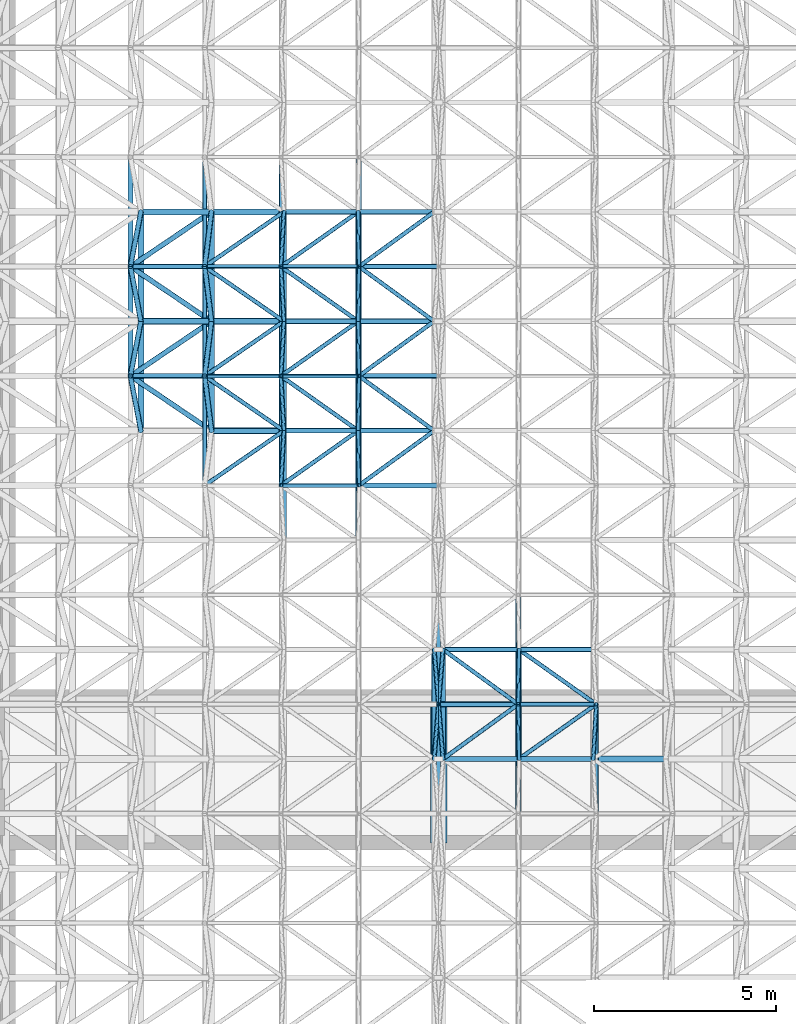
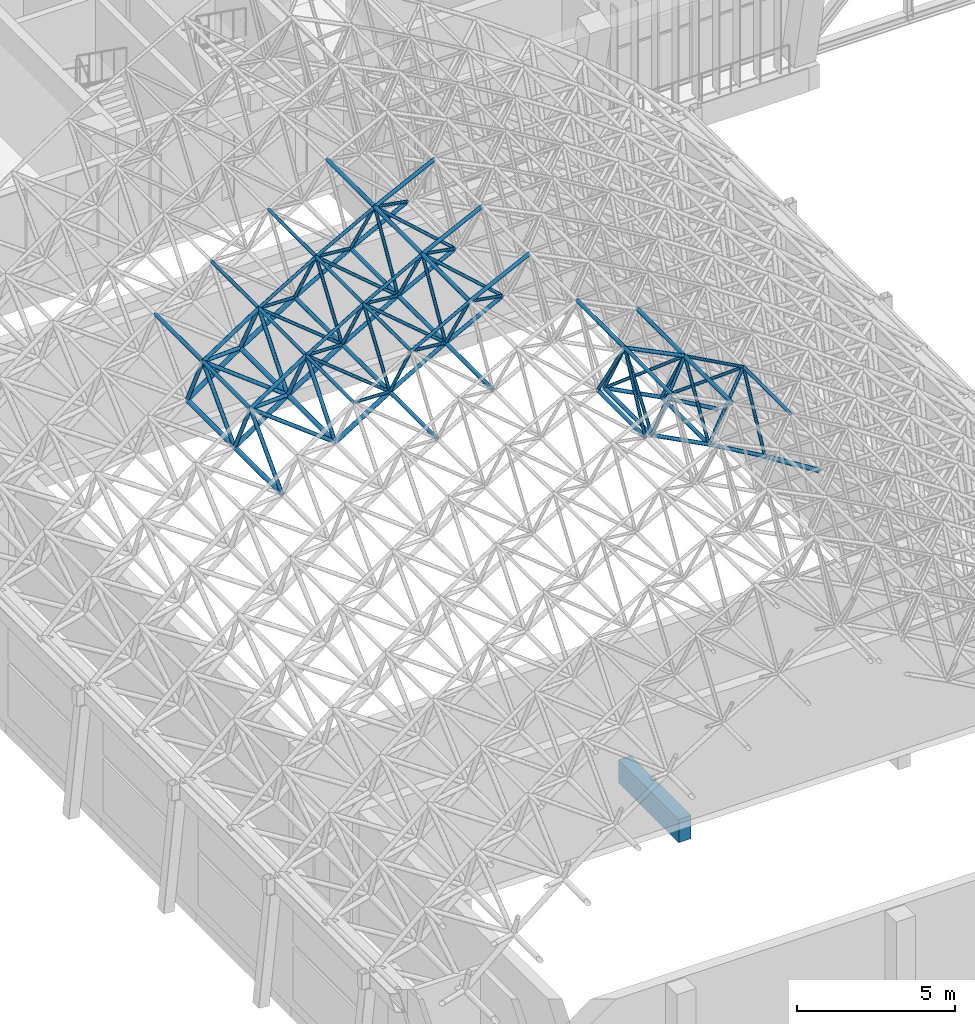
# One storey, part 19 of 141: 105 members, 1 beam.
"""IFC4 building model written with IfcOpenShell, lengths in metres."""

from ifc_helpers import new_model, si_unit, direction, frame, origin, origin_2d, place, context, subcontext, project, spatial, rectangle, hollow_circle, extrude, material, material_profile, profile_set, type_object, element, save


model = new_model("IFC4")

# Units and contexts
model_context = context("Model", 3, precision=1e-05, world=origin(), true_north=direction((0.0, 1.0)))
body_context = subcontext(model_context, "Body", "Model", "MODEL_VIEW")
ifc_project = project(units=[si_unit("LENGTHUNIT", "METRE"), si_unit("AREAUNIT", "SQUARE_METRE"), si_unit("VOLUMEUNIT", "CUBIC_METRE"), si_unit("PLANEANGLEUNIT", "RADIAN"), si_unit("MASSUNIT", "GRAM", prefix="KILO")], contexts=[model_context])

# Site, building, storey
site_placement = place(None, origin())
site = spatial("IfcSite", under=ifc_project, at=site_placement, CompositionType="ELEMENT")
building_placement = place(site_placement, origin())
building = spatial("IfcBuilding", under=site, at=building_placement, Name="Lantern Court Media Centre", CompositionType="ELEMENT")
storey_placement = place(building_placement, frame((0.0, 0.0, 9.60009765625)))
storey = spatial("IfcBuildingStorey", under=building, at=storey_placement, Name="L02", CompositionType="ELEMENT", Elevation=9.60009765625)

# Members
ifc_material_1 = material(Name="Steel S355J2 (EN 10025-2)", Category="steel")
ifc_material_profile_1 = material_profile(ifc_material_1, hollow_circle(Radius=0.06982421875, WallThickness=0.0048828125, at=origin_2d()), Name="Cinema Hall bottom CHS 139.7x5")
ifc_profile_set_1 = profile_set([ifc_material_profile_1], Name="Steel S355J2 (EN 10025-2)")
member_type_1 = type_object("IfcMemberType", Name="Cinema Hall bottom CHS 139.7x5", PredefinedType="CHORD", material=ifc_profile_set_1)
for number, where, z_axis, x_axis, name in (
    (1, (15.87939453125, 14.5, 13.298583984375), (0.0, 1.0, 0.0), (-1.0, 0.0, 0.0), "Cinema Hall bottom chord 08-06"),
    (2, (16.12060546875, 14.5, 13.298583984375), (0.0, 1.0, 0.0), (-1.0, 0.0, 0.0), "Cinema Hall bottom chord 09-06"),
):
    element("IfcMember", number, at=place(storey_placement, frame(where, z_axis=z_axis, x_axis=x_axis)), inside=storey, type_object=member_type_1, Name=name, PredefinedType="CHORD", context=body_context, shape_type="SweptSolid", body=[
        extrude(hollow_circle(Radius=0.06982421875, WallThickness=0.0048828125, at=origin_2d()), origin(), (0.0, 0.0, 1.0), 3.0),
    ])
ifc_material_profile_2 = material_profile(ifc_material_1, hollow_circle(Radius=0.06982421875, WallThickness=0.00634765625, at=origin_2d()), Name="Cinema Hall bottom CHS 139.7x6.3")
ifc_profile_set_2 = profile_set([ifc_material_profile_2], Name="Steel S355J2 (EN 10025-2)")
member_type_2 = type_object("IfcMemberType", Name="Cinema Hall bottom CHS 139.7x6.3", PredefinedType="CHORD", material=ifc_profile_set_2)
for number, where, z_axis, x_axis, name in (
    (3, (18.203125, 14.5, 12.21337890625), (0.0, 1.0, 0.0), (-1.0, 0.0, 0.0), "Cinema Hall bottom chord 10-06"),
    (4, (11.76025390625, 20.5, 11.04443359375), (0.0, 1.0, 0.0), (-1.0, 0.0, 0.0), "Cinema Hall bottom chord 06-08"),
    (5, (13.796875, 20.5, 12.21337890625), (0.0, 1.0, 0.0), (-1.0, 0.0, 0.0), "Cinema Hall bottom chord 07-08"),
    (6, (11.76025390625, 23.5, 11.04443359375), (0.0, 1.0, 0.0), (-1.0, 0.0, 0.0), "Cinema Hall bottom chord 06-09"),
    (7, (13.796875, 23.5, 12.21337890625), (0.0, 1.0, 0.0), (-1.0, 0.0, 0.0), "Cinema Hall bottom chord 07-09"),
    (8, (11.76025390625, 26.5, 11.04443359375), (0.0, 1.0, 0.0), (-1.0, 0.0, 0.0), "Cinema Hall bottom chord 06-10"),
    (9, (13.796875, 26.5, 12.21337890625), (0.0, 1.0, 0.0), (-1.0, 0.0, 0.0), "Cinema Hall bottom chord 07-10"),
):
    element("IfcMember", number, at=place(storey_placement, frame(where, z_axis=z_axis, x_axis=x_axis)), inside=storey, type_object=member_type_2, Name=name, PredefinedType="CHORD", context=body_context, shape_type="SweptSolid", body=[
        extrude(hollow_circle(Radius=0.06982421875, WallThickness=0.00634765625, at=origin_2d()), origin(), (0.0, 0.0, 1.0), 3.0),
    ])
member_1_placement = place(storey_placement, frame((16.12060546875, 14.5, 13.298583984375), z_axis=(0.88681645353, 0.0, -0.462121821329), x_axis=(0.0, 1.0, 0.0)))
element("IfcMember", 10, at=member_1_placement, inside=storey, type_object=member_type_2, Name="Cinema Hall bottom chord 09-06 across", PredefinedType="CHORD", context=body_context, shape_type="SweptSolid", body=[
    extrude(hollow_circle(Radius=0.06982421875, WallThickness=0.00634765625, at=origin_2d()), origin(), (0.0, 0.0, 1.0), 2.348388671875),
])
member_2_placement = place(storey_placement, frame((18.203125, 14.5, 12.21337890625), z_axis=(0.867294659253, 0.0, -0.497795112503), x_axis=(0.0, 1.0, 0.0)))
element("IfcMember", 11, at=member_2_placement, inside=storey, type_object=member_type_2, Name="Cinema Hall bottom chord 10-06 across", PredefinedType="CHORD", context=body_context, shape_type="SweptSolid", body=[
    extrude(hollow_circle(Radius=0.06982421875, WallThickness=0.00634765625, at=origin_2d()), origin(), (0.0, 0.0, 1.0), 2.34814453125),
])
member_3_placement = place(storey_placement, frame((16.12060546875, 17.5, 13.298583984375), z_axis=(0.88681645353, 0.0, -0.462121821329), x_axis=(0.0, 1.0, 0.0)))
element("IfcMember", 12, at=member_3_placement, inside=storey, type_object=member_type_2, Name="Cinema Hall bottom chord 09-07 across", PredefinedType="CHORD", context=body_context, shape_type="SweptSolid", body=[
    extrude(hollow_circle(Radius=0.06982421875, WallThickness=0.00634765625, at=origin_2d()), origin(), (0.0, 0.0, 1.0), 2.348388671875),
])
for number, where, z_axis, x_axis, name in (
    (13, (18.203125, 17.5, 12.21337890625), (0.867294659253, 0.0, -0.497795112503), (0.0, 1.0, 0.0), "Cinema Hall bottom chord 10-07 across"),
    (14, (11.76025390625, 23.5, 11.04443359375), (0.867294659253, 0.0, 0.497795112503), (0.0, 1.0, 0.0), "Cinema Hall bottom chord 06-09 across"),
):
    element("IfcMember", number, at=place(storey_placement, frame(where, z_axis=z_axis, x_axis=x_axis)), inside=storey, type_object=member_type_2, Name=name, PredefinedType="CHORD", context=body_context, shape_type="SweptSolid", body=[
        extrude(hollow_circle(Radius=0.06982421875, WallThickness=0.00634765625, at=origin_2d()), origin(), (0.0, 0.0, 1.0), 2.34814453125),
    ])
member_4_placement = place(storey_placement, frame((13.796875, 23.5, 12.21337890625), z_axis=(0.88681645353, 0.0, 0.462121821329), x_axis=(0.0, 1.0, 0.0)))
element("IfcMember", 15, at=member_4_placement, inside=storey, type_object=member_type_2, Name="Cinema Hall bottom chord 07-09 across", PredefinedType="CHORD", context=body_context, shape_type="SweptSolid", body=[
    extrude(hollow_circle(Radius=0.06982421875, WallThickness=0.00634765625, at=origin_2d()), origin(), (0.0, 0.0, 1.0), 2.348388671875),
])
member_5_placement = place(storey_placement, frame((11.76025390625, 26.5, 11.04443359375), z_axis=(0.867294659253, 0.0, 0.497795112503), x_axis=(0.0, 1.0, 0.0)))
element("IfcMember", 16, at=member_5_placement, inside=storey, type_object=member_type_2, Name="Cinema Hall bottom chord 06-10 across", PredefinedType="CHORD", context=body_context, shape_type="SweptSolid", body=[
    extrude(hollow_circle(Radius=0.06982421875, WallThickness=0.00634765625, at=origin_2d()), origin(), (0.0, 0.0, 1.0), 2.34814453125),
])
member_6_placement = place(storey_placement, frame((13.796875, 26.5, 12.21337890625), z_axis=(0.88681645353, 0.0, 0.462121821329), x_axis=(0.0, 1.0, 0.0)))
element("IfcMember", 17, at=member_6_placement, inside=storey, type_object=member_type_2, Name="Cinema Hall bottom chord 07-10 across", PredefinedType="CHORD", context=body_context, shape_type="SweptSolid", body=[
    extrude(hollow_circle(Radius=0.06982421875, WallThickness=0.00634765625, at=origin_2d()), origin(), (0.0, 0.0, 1.0), 2.348388671875),
])
member_7_placement = place(storey_placement, frame((11.76025390625, 29.5, 11.04443359375), z_axis=(0.867294659253, 0.0, 0.497795112503), x_axis=(0.0, 1.0, 0.0)))
element("IfcMember", 18, at=member_7_placement, inside=storey, type_object=member_type_2, Name="Cinema Hall bottom chord 06-11 across", PredefinedType="CHORD", context=body_context, shape_type="SweptSolid", body=[
    extrude(hollow_circle(Radius=0.06982421875, WallThickness=0.00634765625, at=origin_2d()), origin(), (0.0, 0.0, 1.0), 2.34814453125),
])
member_8_placement = place(storey_placement, frame((13.796875, 29.5, 12.21337890625), z_axis=(0.88681645353, 0.0, 0.462121821329), x_axis=(0.0, 1.0, 0.0)))
element("IfcMember", 19, at=member_8_placement, inside=storey, type_object=member_type_2, Name="Cinema Hall bottom chord 07-11 across", PredefinedType="CHORD", context=body_context, shape_type="SweptSolid", body=[
    extrude(hollow_circle(Radius=0.06982421875, WallThickness=0.00634765625, at=origin_2d()), origin(), (0.0, 0.0, 1.0), 2.348388671875),
])
ifc_material_profile_3 = material_profile(ifc_material_1, hollow_circle(Radius=0.084228515625, WallThickness=0.00634765625, at=origin_2d()), Name="Cinema Hall bottom CHS 168.3x6.3")
ifc_profile_set_3 = profile_set([ifc_material_profile_3], Name="Steel S355J2 (EN 10025-2)")
member_type_3 = type_object("IfcMemberType", Name="Cinema Hall bottom CHS 168.3x6.3", PredefinedType="CHORD", material=ifc_profile_set_3)
for number, where, z_axis, x_axis, name in (
    (20, (9.772705078125, 23.5, 9.7939453125), (0.0, 1.0, 0.0), (-1.0, 0.0, 0.0), "Cinema Hall bottom chord 05-09"),
    (21, (9.772705078125, 26.5, 9.7939453125), (0.0, 1.0, 0.0), (-1.0, 0.0, 0.0), "Cinema Hall bottom chord 05-10"),
):
    element("IfcMember", number, at=place(storey_placement, frame(where, z_axis=z_axis, x_axis=x_axis)), inside=storey, type_object=member_type_3, Name=name, PredefinedType="CHORD", context=body_context, shape_type="SweptSolid", body=[
        extrude(hollow_circle(Radius=0.084228515625, WallThickness=0.00634765625, at=origin_2d()), origin(), (0.0, 0.0, 1.0), 3.0),
    ])
for number, where, z_axis, x_axis, name in (
    (22, (20.23974609375, 14.5, 11.04443359375), (0.846411623189, 0.0, -0.532529214344), (0.0, 1.0, 0.0), "Cinema Hall bottom chord 11-06 across"),
    (23, (9.772705078125, 23.5, 9.7939453125), (0.846411623189, 0.0, 0.532529214344), (0.0, 1.0, 0.0), "Cinema Hall bottom chord 05-09 across"),
    (24, (9.772705078125, 26.5, 9.7939453125), (0.846411623189, 0.0, 0.532529214344), (0.0, 1.0, 0.0), "Cinema Hall bottom chord 05-10 across"),
    (25, (9.772705078125, 29.5, 9.7939453125), (0.846411623189, 0.0, 0.532529214344), (0.0, 1.0, 0.0), "Cinema Hall bottom chord 05-11 across"),
):
    element("IfcMember", number, at=place(storey_placement, frame(where, z_axis=z_axis, x_axis=x_axis)), inside=storey, type_object=member_type_3, Name=name, PredefinedType="CHORD", context=body_context, shape_type="SweptSolid", body=[
        extrude(hollow_circle(Radius=0.084228515625, WallThickness=0.00634765625, at=origin_2d()), origin(), (0.0, 0.0, 1.0), 2.34814453125),
    ])
ifc_material_profile_4 = material_profile(ifc_material_1, hollow_circle(Radius=0.084228515625, WallThickness=0.008056640625, at=origin_2d()), Name="Cinema Hall bottom CHS 168.3x8")
ifc_profile_set_4 = profile_set([ifc_material_profile_4], Name="Steel S355J2 (EN 10025-2)")
member_type_4 = type_object("IfcMemberType", Name="Cinema Hall bottom CHS 168.3x8", PredefinedType="CHORD", material=ifc_profile_set_4)
for number, where, z_axis, x_axis, name in (
    (26, (7.837646484375, 23.5, 8.463623046875), (0.0, 1.0, 0.0), (-1.0, 0.0, 0.0), "Cinema Hall bottom chord 04-09"),
    (27, (7.837646484375, 26.5, 8.463623046875), (0.0, 1.0, 0.0), (-1.0, 0.0, 0.0), "Cinema Hall bottom chord 04-10"),
):
    element("IfcMember", number, at=place(storey_placement, frame(where, z_axis=z_axis, x_axis=x_axis)), inside=storey, type_object=member_type_4, Name=name, PredefinedType="CHORD", context=body_context, shape_type="SweptSolid", body=[
        extrude(hollow_circle(Radius=0.084228515625, WallThickness=0.008056640625, at=origin_2d()), origin(), (0.0, 0.0, 1.0), 3.0),
    ])
for number, where, z_axis, x_axis, name in (
    (28, (7.837646484375, 26.5, 8.463623046875), (0.824047991233, 0.0, 0.56651999801), (0.0, 1.0, 0.0), "Cinema Hall bottom chord 04-10 across"),
    (29, (7.837646484375, 29.5, 8.463623046875), (0.824047991233, 0.0, 0.56651999801), (0.0, 1.0, 0.0), "Cinema Hall bottom chord 04-11 across"),
):
    element("IfcMember", number, at=place(storey_placement, frame(where, z_axis=z_axis, x_axis=x_axis)), inside=storey, type_object=member_type_4, Name=name, PredefinedType="CHORD", context=body_context, shape_type="SweptSolid", body=[
        extrude(hollow_circle(Radius=0.084228515625, WallThickness=0.008056640625, at=origin_2d()), origin(), (0.0, 0.0, 1.0), 2.34814453125),
    ])
ifc_material_profile_5 = material_profile(ifc_material_1, hollow_circle(Radius=0.05712890625, WallThickness=0.0048828125, at=origin_2d()), Name="Cinema Hall diagonal CHS 114.3x5")
ifc_profile_set_5 = profile_set([ifc_material_profile_5], Name="Steel S355J2 (EN 10025-2)")
member_type_5 = type_object("IfcMemberType", Name="Cinema Hall diagonal CHS 114.3x5", PredefinedType="BRACE", material=ifc_profile_set_5)
member_9_placement = place(storey_placement, frame((15.87939453125, 14.5, 13.298583984375), z_axis=(0.041317175069, 0.513871910171, 0.85687137365), x_axis=(-0.996783215266, 0.080145004613, 0.0)))
element("IfcMember", 30, at=member_9_placement, inside=storey, type_object=member_type_5, Name="Cinema Hall diagonal 08-06-3", PredefinedType="BRACE", context=body_context, shape_type="SweptSolid", body=[
    extrude(hollow_circle(Radius=0.05712890625, WallThickness=0.0048828125, at=origin_2d()), origin(), (0.0, 0.0, 1.0), 2.9189453125),
])
member_10_placement = place(storey_placement, frame((16.12060546875, 14.5, 13.298583984375), z_axis=(0.706879781117, 0.513851085564, 0.486084392789), x_axis=(-0.587989591395, 0.808868493892, 0.0)))
element("IfcMember", 31, at=member_10_placement, inside=storey, type_object=member_type_5, Name="Cinema Hall diagonal 09-06-3", PredefinedType="BRACE", context=body_context, shape_type="SweptSolid", body=[
    extrude(hollow_circle(Radius=0.05712890625, WallThickness=0.0048828125, at=origin_2d()), origin(), (0.0, 0.0, 1.0), 2.919189453125),
])
for number, where, z_axis, x_axis, name in (
    (32, (16.12060546875, 14.5, 13.298583984375), (-0.041317175069, 0.513871910171, 0.85687137365), (-0.996783215266, -0.080145004613, 0.0), "Cinema Hall diagonal 09-06-4"),
    (33, (15.87939453125, 17.5, 13.298583984375), (0.041317175069, -0.513871910171, 0.85687137365), (0.996783215266, 0.080145004613, 0.0), "Cinema Hall diagonal 08-07-2"),
    (34, (16.12060546875, 17.5, 13.298583984375), (-0.041317175069, -0.513871910171, 0.85687137365), (0.996783215266, -0.080145004613, 0.0), "Cinema Hall diagonal 09-07-1"),
):
    element("IfcMember", number, at=place(storey_placement, frame(where, z_axis=z_axis, x_axis=x_axis)), inside=storey, type_object=member_type_5, Name=name, PredefinedType="BRACE", context=body_context, shape_type="SweptSolid", body=[
        extrude(hollow_circle(Radius=0.05712890625, WallThickness=0.0048828125, at=origin_2d()), origin(), (0.0, 0.0, 1.0), 2.9189453125),
    ])
for number, where, z_axis, x_axis, name in (
    (35, (16.12060546875, 17.5, 13.298583984375), (0.706879781117, -0.513851085564, 0.486084392789), (0.587989591395, 0.808868493892, 0.0), "Cinema Hall diagonal 09-07-2"),
    (36, (15.87939453125, 23.5, 13.298583984375), (-0.706879781117, -0.513851085564, 0.486084392789), (0.587989591395, -0.808868493892, 0.0), "Cinema Hall diagonal 08-09-1"),
    (37, (15.87939453125, 23.5, 13.298583984375), (-0.706879781117, 0.513851085564, 0.486084392789), (-0.587989591395, -0.808868493892, 0.0), "Cinema Hall diagonal 08-09-4"),
    (38, (15.87939453125, 26.5, 13.298583984375), (-0.706879781117, -0.513851085564, 0.486084392789), (0.587989591395, -0.808868493892, 0.0), "Cinema Hall diagonal 08-10-1"),
    (39, (15.87939453125, 26.5, 13.298583984375), (-0.706879781117, 0.513851085564, 0.486084392789), (-0.587989591395, -0.808868493892, 0.0), "Cinema Hall diagonal 08-10-4"),
    (40, (15.87939453125, 29.5, 13.298583984375), (-0.706879781117, -0.513851085564, 0.486084392789), (0.587989591395, -0.808868493892, 0.0), "Cinema Hall diagonal 08-11-1"),
):
    element("IfcMember", number, at=place(storey_placement, frame(where, z_axis=z_axis, x_axis=x_axis)), inside=storey, type_object=member_type_5, Name=name, PredefinedType="BRACE", context=body_context, shape_type="SweptSolid", body=[
        extrude(hollow_circle(Radius=0.05712890625, WallThickness=0.0048828125, at=origin_2d()), origin(), (0.0, 0.0, 1.0), 2.919189453125),
    ])
ifc_material_profile_6 = material_profile(ifc_material_1, hollow_circle(Radius=0.05712890625, WallThickness=0.00634765625, at=origin_2d()), Name="Cinema Hall diagonal CHS 114.3x6.3")
ifc_profile_set_6 = profile_set([ifc_material_profile_6], Name="Steel S355J2 (EN 10025-2)")
member_type_6 = type_object("IfcMemberType", Name="Cinema Hall diagonal CHS 114.3x6.3", PredefinedType="BRACE", material=ifc_profile_set_6)
for number, where, z_axis, x_axis, name in (
    (41, (18.203125, 14.5, 12.21337890625), (0.726033609038, 0.513852147671, 0.456980490702), (-0.577701627838, 0.816248019411, 0.0), "Cinema Hall diagonal 10-06-3"),
    (42, (18.203125, 14.5, 12.21337890625), (-0.006523580306, 0.513857402591, 0.857850810283), (-0.99991942426, -0.012694289566, 0.0), "Cinema Hall diagonal 10-06-4"),
    (43, (20.23974609375, 14.5, 11.04443359375), (0.028351859734, 0.513846095007, 0.857413763999), (-0.998481283351, 0.055091984872, 0.0), "Cinema Hall diagonal 11-06-4"),
    (44, (18.203125, 17.5, 12.21337890625), (-0.006523580306, -0.513857402591, 0.857850810283), (0.99991942426, -0.012694289566, 0.0), "Cinema Hall diagonal 10-07-1"),
    (45, (18.203125, 17.5, 12.21337890625), (0.726033609038, -0.513852147671, 0.456980490702), (0.577701627838, 0.816248019411, 0.0), "Cinema Hall diagonal 10-07-2"),
    (46, (11.76025390625, 23.5, 11.04443359375), (-0.744001537395, -0.513842788417, 0.427115091218), (0.568286154794, -0.822830994962, 0.0), "Cinema Hall diagonal 06-09-1"),
    (47, (11.76025390625, 23.5, 11.04443359375), (-0.028351859734, -0.513846095007, 0.857413763999), (0.998481283351, -0.055091984872, 0.0), "Cinema Hall diagonal 06-09-2"),
    (48, (11.76025390625, 23.5, 11.04443359375), (-0.028351859734, 0.513846095007, 0.857413763999), (-0.998481283351, -0.055091984872, 0.0), "Cinema Hall diagonal 06-09-3"),
    (49, (11.76025390625, 23.5, 11.04443359375), (-0.744001537395, 0.513842788417, 0.427115091218), (-0.568286154794, -0.822830994962, 0.0), "Cinema Hall diagonal 06-09-4"),
    (50, (13.796875, 23.5, 12.21337890625), (-0.726033609038, -0.513852147671, 0.456980490702), (0.577701627838, -0.816248019411, 0.0), "Cinema Hall diagonal 07-09-1"),
    (51, (13.796875, 23.5, 12.21337890625), (0.006523580306, -0.513857402591, 0.857850810283), (0.99991942426, 0.012694289566, 0.0), "Cinema Hall diagonal 07-09-2"),
    (52, (13.796875, 23.5, 12.21337890625), (0.006523580306, 0.513857402591, 0.857850810283), (-0.99991942426, 0.012694289566, 0.0), "Cinema Hall diagonal 07-09-3"),
    (53, (13.796875, 23.5, 12.21337890625), (-0.726033609038, 0.513852147671, 0.456980490702), (-0.577701627838, -0.816248019411, 0.0), "Cinema Hall diagonal 07-09-4"),
    (54, (11.76025390625, 26.5, 11.04443359375), (-0.744001537395, -0.513842788417, 0.427115091218), (0.568286154794, -0.822830994962, 0.0), "Cinema Hall diagonal 06-10-1"),
    (55, (11.76025390625, 26.5, 11.04443359375), (-0.028351859734, -0.513846095007, 0.857413763999), (0.998481283351, -0.055091984872, 0.0), "Cinema Hall diagonal 06-10-2"),
    (56, (11.76025390625, 26.5, 11.04443359375), (-0.028351859734, 0.513846095007, 0.857413763999), (-0.998481283351, -0.055091984872, 0.0), "Cinema Hall diagonal 06-10-3"),
    (57, (11.76025390625, 26.5, 11.04443359375), (-0.744001537395, 0.513842788417, 0.427115091218), (-0.568286154794, -0.822830994962, 0.0), "Cinema Hall diagonal 06-10-4"),
    (58, (13.796875, 26.5, 12.21337890625), (-0.726033609038, -0.513852147671, 0.456980490702), (0.577701627838, -0.816248019411, 0.0), "Cinema Hall diagonal 07-10-1"),
    (59, (13.796875, 26.5, 12.21337890625), (0.006523580306, -0.513857402591, 0.857850810283), (0.99991942426, 0.012694289566, 0.0), "Cinema Hall diagonal 07-10-2"),
    (60, (13.796875, 26.5, 12.21337890625), (0.006523580306, 0.513857402591, 0.857850810283), (-0.99991942426, 0.012694289566, 0.0), "Cinema Hall diagonal 07-10-3"),
    (61, (13.796875, 26.5, 12.21337890625), (-0.726033609038, 0.513852147671, 0.456980490702), (-0.577701627838, -0.816248019411, 0.0), "Cinema Hall diagonal 07-10-4"),
    (62, (11.76025390625, 29.5, 11.04443359375), (-0.744001537395, -0.513842788417, 0.427115091218), (0.568286154794, -0.822830994962, 0.0), "Cinema Hall diagonal 06-11-1"),
    (63, (11.76025390625, 29.5, 11.04443359375), (-0.028351859734, -0.513846095007, 0.857413763999), (0.998481283351, -0.055091984872, 0.0), "Cinema Hall diagonal 06-11-2"),
    (64, (13.796875, 29.5, 12.21337890625), (-0.726033609038, -0.513852147671, 0.456980490702), (0.577701627838, -0.816248019411, 0.0), "Cinema Hall diagonal 07-11-1"),
    (65, (13.796875, 29.5, 12.21337890625), (0.006523580306, -0.513857402591, 0.857850810283), (0.99991942426, 0.012694289566, 0.0), "Cinema Hall diagonal 07-11-2"),
):
    element("IfcMember", number, at=place(storey_placement, frame(where, z_axis=z_axis, x_axis=x_axis)), inside=storey, type_object=member_type_6, Name=name, PredefinedType="BRACE", context=body_context, shape_type="SweptSolid", body=[
        extrude(hollow_circle(Radius=0.05712890625, WallThickness=0.00634765625, at=origin_2d()), origin(), (0.0, 0.0, 1.0), 2.919189453125),
    ])
ifc_material_profile_7 = material_profile(ifc_material_1, hollow_circle(Radius=0.06982421875, WallThickness=0.00634765625, at=origin_2d()), Name="Cinema Hall diagonal CHS 139.7x6.3")
ifc_profile_set_7 = profile_set([ifc_material_profile_7], Name="Steel S355J2 (EN 10025-2)")
member_type_7 = type_object("IfcMemberType", Name="Cinema Hall diagonal CHS 139.7x6.3", PredefinedType="BRACE", material=ifc_profile_set_7)
member_11_placement = place(storey_placement, frame((9.772705078125, 23.5, 9.7939453125), z_axis=(-0.063147046974, 0.513874776966, 0.855537938409), x_axis=(-0.992534194664, -0.121966685705, 0.0)))
element("IfcMember", 66, at=member_11_placement, inside=storey, type_object=member_type_7, Name="Cinema Hall diagonal 05-09-3", PredefinedType="BRACE", context=body_context, shape_type="SweptSolid", body=[
    extrude(hollow_circle(Radius=0.06982421875, WallThickness=0.00634765625, at=origin_2d()), origin(), (0.0, 0.0, 1.0), 2.9189453125),
])
for number, where, z_axis, x_axis, name in (
    (67, (9.772705078125, 23.5, 9.7939453125), (-0.760744068819, 0.513853513503, 0.396513591718), (-0.559735691147, -0.828671199003, 0.0), "Cinema Hall diagonal 05-09-4"),
    (68, (9.772705078125, 26.5, 9.7939453125), (-0.760744068819, -0.513853513503, 0.396513591718), (0.559735691147, -0.828671199003, 0.0), "Cinema Hall diagonal 05-10-1"),
):
    element("IfcMember", number, at=place(storey_placement, frame(where, z_axis=z_axis, x_axis=x_axis)), inside=storey, type_object=member_type_7, Name=name, PredefinedType="BRACE", context=body_context, shape_type="SweptSolid", body=[
        extrude(hollow_circle(Radius=0.06982421875, WallThickness=0.00634765625, at=origin_2d()), origin(), (0.0, 0.0, 1.0), 2.919189453125),
    ])
for number, where, z_axis, x_axis, name in (
    (69, (9.772705078125, 26.5, 9.7939453125), (-0.063147046974, -0.513874776966, 0.855537938409), (0.992534194664, -0.121966685705, 0.0), "Cinema Hall diagonal 05-10-2"),
    (70, (9.772705078125, 26.5, 9.7939453125), (-0.063147046974, 0.513874776966, 0.855537938409), (-0.992534194664, -0.121966685705, 0.0), "Cinema Hall diagonal 05-10-3"),
):
    element("IfcMember", number, at=place(storey_placement, frame(where, z_axis=z_axis, x_axis=x_axis)), inside=storey, type_object=member_type_7, Name=name, PredefinedType="BRACE", context=body_context, shape_type="SweptSolid", body=[
        extrude(hollow_circle(Radius=0.06982421875, WallThickness=0.00634765625, at=origin_2d()), origin(), (0.0, 0.0, 1.0), 2.9189453125),
    ])
for number, where, z_axis, x_axis, name in (
    (71, (9.772705078125, 26.5, 9.7939453125), (-0.760744068819, 0.513853513503, 0.396513591718), (-0.559735691147, -0.828671199003, 0.0), "Cinema Hall diagonal 05-10-4"),
    (72, (9.772705078125, 29.5, 9.7939453125), (-0.760744068819, -0.513853513503, 0.396513591718), (0.559735691147, -0.828671199003, 0.0), "Cinema Hall diagonal 05-11-1"),
):
    element("IfcMember", number, at=place(storey_placement, frame(where, z_axis=z_axis, x_axis=x_axis)), inside=storey, type_object=member_type_7, Name=name, PredefinedType="BRACE", context=body_context, shape_type="SweptSolid", body=[
        extrude(hollow_circle(Radius=0.06982421875, WallThickness=0.00634765625, at=origin_2d()), origin(), (0.0, 0.0, 1.0), 2.919189453125),
    ])
member_12_placement = place(storey_placement, frame((9.772705078125, 29.5, 9.7939453125), z_axis=(-0.063147046974, -0.513874776966, 0.855537938409), x_axis=(0.992534194664, -0.121966685705, 0.0)))
element("IfcMember", 73, at=member_12_placement, inside=storey, type_object=member_type_7, Name="Cinema Hall diagonal 05-11-2", PredefinedType="BRACE", context=body_context, shape_type="SweptSolid", body=[
    extrude(hollow_circle(Radius=0.06982421875, WallThickness=0.00634765625, at=origin_2d()), origin(), (0.0, 0.0, 1.0), 2.9189453125),
])
ifc_material_profile_8 = material_profile(ifc_material_1, hollow_circle(Radius=0.06982421875, WallThickness=0.008056640625, at=origin_2d()), Name="Cinema Hall diagonal CHS 139.7x8")
ifc_profile_set_8 = profile_set([ifc_material_profile_8], Name="Steel S355J2 (EN 10025-2)")
member_type_8 = type_object("IfcMemberType", Name="Cinema Hall diagonal CHS 139.7x8", PredefinedType="BRACE", material=ifc_profile_set_8)
for number, where, z_axis, x_axis, name in (
    (74, (7.837646484375, 23.5, 8.463623046875), (-0.09785614588, 0.51387022247, 0.852268484207), (-0.982346962135, -0.187068025016, 0.0), "Cinema Hall diagonal 04-09-3"),
    (75, (7.837646484375, 26.5, 8.463623046875), (-0.09785614588, -0.51387022247, 0.852268484207), (0.982346962135, -0.187068025016, 0.0), "Cinema Hall diagonal 04-10-2"),
    (76, (7.837646484375, 26.5, 8.463623046875), (-0.09785614588, 0.51387022247, 0.852268484207), (-0.982346962135, -0.187068025016, 0.0), "Cinema Hall diagonal 04-10-3"),
    (77, (7.837646484375, 29.5, 8.463623046875), (-0.09785614588, -0.51387022247, 0.852268484207), (0.982346962135, -0.187068025016, 0.0), "Cinema Hall diagonal 04-11-2"),
):
    element("IfcMember", number, at=place(storey_placement, frame(where, z_axis=z_axis, x_axis=x_axis)), inside=storey, type_object=member_type_8, Name=name, PredefinedType="BRACE", context=body_context, shape_type="SweptSolid", body=[
        extrude(hollow_circle(Radius=0.06982421875, WallThickness=0.008056640625, at=origin_2d()), origin(), (0.0, 0.0, 1.0), 2.9189453125),
    ])
ifc_material_profile_9 = material_profile(ifc_material_1, hollow_circle(Radius=0.05712890625, WallThickness=0.00634765625, at=origin_2d()), Name="Cinema Hall top CHS 114.3x6.3")
ifc_profile_set_9 = profile_set([ifc_material_profile_9], Name="Steel S355J2 (EN 10025-2)")
member_type_9 = type_object("IfcMemberType", Name="Cinema Hall top CHS 114.3x6.3", PredefinedType="CHORD", material=ifc_profile_set_9)
for number, where, z_axis, x_axis, name in (
    (78, (20.322509765625, 13.0, 13.54736328125), (0.0, 1.0, 0.0), (-1.0, 0.0, 0.0), "Cinema Hall top chord 11-06"),
    (79, (9.58837890625, 22.0, 12.291259765625), (0.0, 1.0, 0.0), (-1.0, 0.0, 0.0), "Cinema Hall top chord 06-09"),
    (80, (11.677490234375, 22.0, 13.54736328125), (0.0, 1.0, 0.0), (-1.0, 0.0, 0.0), "Cinema Hall top chord 07-09"),
    (81, (9.58837890625, 25.0, 12.291259765625), (0.0, 1.0, 0.0), (-1.0, 0.0, 0.0), "Cinema Hall top chord 06-10"),
    (82, (11.677490234375, 25.0, 13.54736328125), (0.0, 1.0, 0.0), (-1.0, 0.0, 0.0), "Cinema Hall top chord 07-10"),
    (83, (9.58837890625, 28.0, 12.291259765625), (0.0, 1.0, 0.0), (-1.0, 0.0, 0.0), "Cinema Hall top chord 06-11"),
    (84, (11.677490234375, 28.0, 13.54736328125), (0.0, 1.0, 0.0), (-1.0, 0.0, 0.0), "Cinema Hall top chord 07-11"),
):
    element("IfcMember", number, at=place(storey_placement, frame(where, z_axis=z_axis, x_axis=x_axis)), inside=storey, type_object=member_type_9, Name=name, PredefinedType="CHORD", context=body_context, shape_type="SweptSolid", body=[
        extrude(hollow_circle(Radius=0.05712890625, WallThickness=0.00634765625, at=origin_2d()), origin(), (0.0, 0.0, 1.0), 3.0),
    ])
for number, where, z_axis, x_axis, name in (
    (85, (18.18408203125, 16.0, 14.717529296875), (0.87724791815, 0.0, -0.480037592384), (0.0, 1.0, 0.0), "Cinema Hall top chord 10-07 across"),
    (86, (11.677490234375, 22.0, 13.54736328125), (0.87724791815, 0.0, 0.480037592384), (0.0, 1.0, 0.0), "Cinema Hall top chord 07-09 across"),
    (87, (9.58837890625, 25.0, 12.291259765625), (0.857015353865, 0.0, 0.515290872459), (0.0, 1.0, 0.0), "Cinema Hall top chord 06-10 across"),
    (88, (11.677490234375, 25.0, 13.54736328125), (0.87724791815, 0.0, 0.480037592384), (0.0, 1.0, 0.0), "Cinema Hall top chord 07-10 across"),
    (89, (9.58837890625, 28.0, 12.291259765625), (0.857015353865, 0.0, 0.515290872459), (0.0, 1.0, 0.0), "Cinema Hall top chord 06-11 across"),
    (90, (11.677490234375, 28.0, 13.54736328125), (0.87724791815, 0.0, 0.480037592384), (0.0, 1.0, 0.0), "Cinema Hall top chord 07-11 across"),
):
    element("IfcMember", number, at=place(storey_placement, frame(where, z_axis=z_axis, x_axis=x_axis)), inside=storey, type_object=member_type_9, Name=name, PredefinedType="CHORD", context=body_context, shape_type="SweptSolid", body=[
        extrude(hollow_circle(Radius=0.05712890625, WallThickness=0.00634765625, at=origin_2d()), origin(), (0.0, 0.0, 1.0), 2.437744140625),
    ])
ifc_material_profile_10 = material_profile(ifc_material_1, hollow_circle(Radius=0.06982421875, WallThickness=0.0048828125, at=origin_2d()), Name="Cinema Hall top CHS 139.7x5")
ifc_profile_set_10 = profile_set([ifc_material_profile_10], Name="Steel S355J2 (EN 10025-2)")
member_type_10 = type_object("IfcMemberType", Name="Cinema Hall top CHS 139.7x5", PredefinedType="CHORD", material=ifc_profile_set_10)
for number, where, z_axis, x_axis, name in (
    (91, (16.0, 13.0, 15.7998046875), (0.0, 1.0, 0.0), (-1.0, 0.0, 0.0), "Cinema Hall top chord 09-06"),
    (92, (18.18408203125, 13.0, 14.717529296875), (0.0, 1.0, 0.0), (-1.0, 0.0, 0.0), "Cinema Hall top chord 10-06"),
    (93, (16.0, 16.0, 15.7998046875), (0.0, 1.0, 0.0), (-1.0, 0.0, 0.0), "Cinema Hall top chord 09-07"),
    (94, (18.18408203125, 16.0, 14.717529296875), (0.0, 1.0, 0.0), (-1.0, 0.0, 0.0), "Cinema Hall top chord 10-07"),
    (95, (13.81591796875, 22.0, 14.717529296875), (0.0, 1.0, 0.0), (-1.0, 0.0, 0.0), "Cinema Hall top chord 08-09"),
    (96, (13.81591796875, 25.0, 14.717529296875), (0.0, 1.0, 0.0), (-1.0, 0.0, 0.0), "Cinema Hall top chord 08-10"),
    (97, (13.81591796875, 28.0, 14.717529296875), (0.0, 1.0, 0.0), (-1.0, 0.0, 0.0), "Cinema Hall top chord 08-11"),
):
    element("IfcMember", number, at=place(storey_placement, frame(where, z_axis=z_axis, x_axis=x_axis)), inside=storey, type_object=member_type_10, Name=name, PredefinedType="CHORD", context=body_context, shape_type="SweptSolid", body=[
        extrude(hollow_circle(Radius=0.06982421875, WallThickness=0.0048828125, at=origin_2d()), origin(), (0.0, 0.0, 1.0), 3.0),
    ])
for number, where, z_axis, x_axis, name in (
    (98, (16.0, 16.0, 15.7998046875), (0.896023995237, 0.0, -0.444005630549), (0.0, 1.0, 0.0), "Cinema Hall top chord 09-07 across"),
    (99, (13.81591796875, 22.0, 14.717529296875), (0.896023995237, 0.0, 0.444005630549), (0.0, 1.0, 0.0), "Cinema Hall top chord 08-09 across"),
    (100, (13.81591796875, 25.0, 14.717529296875), (0.896023995237, 0.0, 0.444005630549), (0.0, 1.0, 0.0), "Cinema Hall top chord 08-10 across"),
    (101, (13.81591796875, 28.0, 14.717529296875), (0.896023995237, 0.0, 0.444005630549), (0.0, 1.0, 0.0), "Cinema Hall top chord 08-11 across"),
):
    element("IfcMember", number, at=place(storey_placement, frame(where, z_axis=z_axis, x_axis=x_axis)), inside=storey, type_object=member_type_10, Name=name, PredefinedType="CHORD", context=body_context, shape_type="SweptSolid", body=[
        extrude(hollow_circle(Radius=0.06982421875, WallThickness=0.0048828125, at=origin_2d()), origin(), (0.0, 0.0, 1.0), 2.4375),
    ])
ifc_material_profile_11 = material_profile(ifc_material_1, hollow_circle(Radius=0.06982421875, WallThickness=0.00634765625, at=origin_2d()), Name="Cinema Hall top CHS 139.7x6.3")
ifc_profile_set_11 = profile_set([ifc_material_profile_11], Name="Steel S355J2 (EN 10025-2)")
member_type_11 = type_object("IfcMemberType", Name="Cinema Hall top CHS 139.7x6.3", PredefinedType="CHORD", material=ifc_profile_set_11)
for number, where, z_axis, x_axis, name in (
    (102, (7.552001953125, 25.0, 10.951416015625), (0.0, 1.0, 0.0), (-1.0, 0.0, 0.0), "Cinema Hall top chord 05-10"),
    (103, (7.552001953125, 28.0, 10.951416015625), (0.0, 1.0, 0.0), (-1.0, 0.0, 0.0), "Cinema Hall top chord 05-11"),
):
    element("IfcMember", number, at=place(storey_placement, frame(where, z_axis=z_axis, x_axis=x_axis)), inside=storey, type_object=member_type_11, Name=name, PredefinedType="CHORD", context=body_context, shape_type="SweptSolid", body=[
        extrude(hollow_circle(Radius=0.06982421875, WallThickness=0.00634765625, at=origin_2d()), origin(), (0.0, 0.0, 1.0), 3.0),
    ])
for number, where, z_axis, x_axis, name in (
    (104, (7.552001953125, 25.0, 10.951416015625), (0.835394087943, 0.0, 0.549651451221), (0.0, 1.0, 0.0), "Cinema Hall top chord 05-10 across"),
    (105, (7.552001953125, 28.0, 10.951416015625), (0.835394087943, 0.0, 0.549651451221), (0.0, 1.0, 0.0), "Cinema Hall top chord 05-11 across"),
):
    element("IfcMember", number, at=place(storey_placement, frame(where, z_axis=z_axis, x_axis=x_axis)), inside=storey, type_object=member_type_11, Name=name, PredefinedType="CHORD", context=body_context, shape_type="SweptSolid", body=[
        extrude(hollow_circle(Radius=0.06982421875, WallThickness=0.00634765625, at=origin_2d()), origin(), (0.0, 0.0, 1.0), 2.437744140625),
    ])

# Beam
ifc_material_2 = material(Name="Concrete C35", Category="concrete")
ifc_material_profile_12 = material_profile(ifc_material_2, rectangle(XDim=0.449951171875, YDim=0.89990234375, at=origin_2d()), Name="RC 450x900")
ifc_profile_set_12 = profile_set([ifc_material_profile_12], Name="Concrete C35")
beam_type = type_object("IfcBeamType", Name="RC BEAM 450x900", PredefinedType="BEAM", material=ifc_profile_set_12)
beam_placement = place(storey_placement, frame((16.0, 12.199951171875, -0.4501953125), z_axis=(0.0, 1.0, 0.0), x_axis=(-1.0, 0.0, 0.0)))
element("IfcBeam", 106, at=beam_placement, inside=storey, type_object=beam_type, Name="HB-V1-L02-FY2-2", PredefinedType="BEAM", context=body_context, shape_type="SweptSolid", body=[
    extrude(rectangle(XDim=0.449951171875, YDim=0.89990234375, at=origin_2d()), origin(), (0.0, 0.0, 1.0), 3.800048828125),
])

save(model, "model.ifc")
